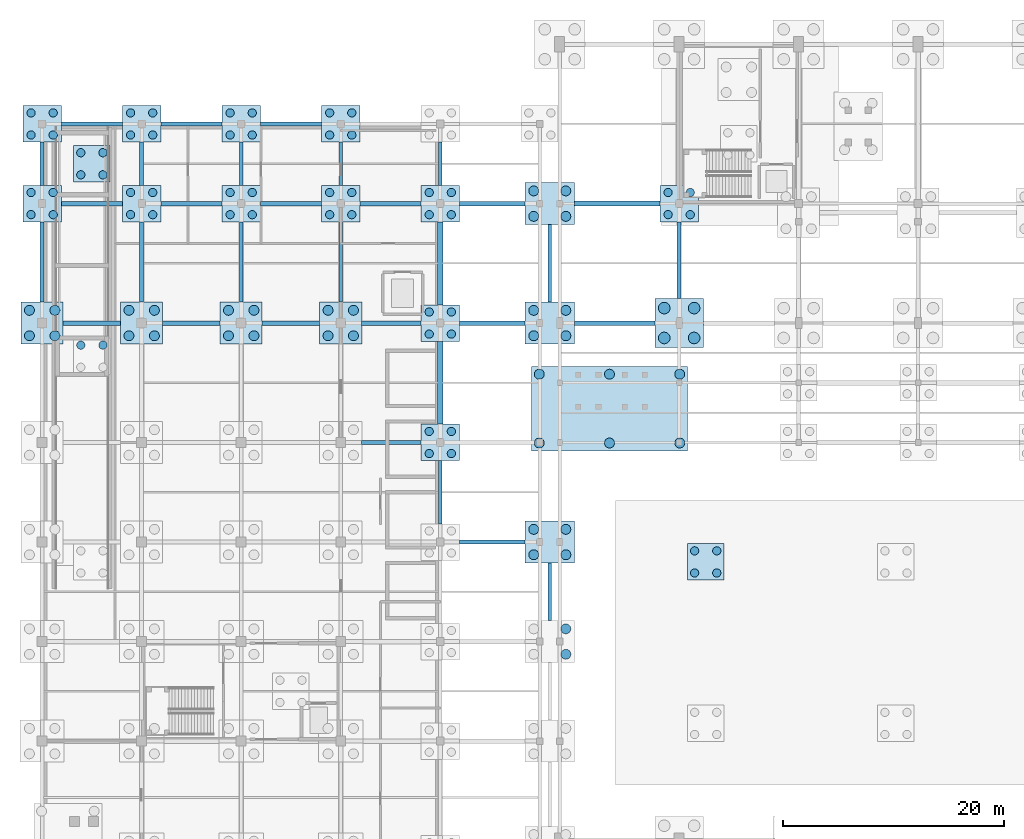
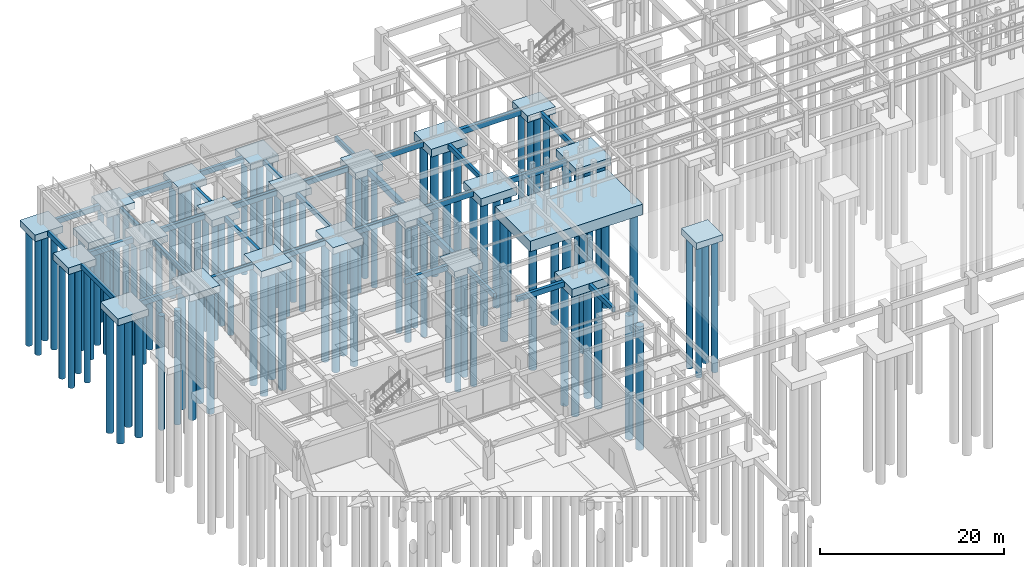
# One storey, part 5 of 33: 98 piles, 55 footings.
"""IFC4 building model written with IfcOpenShell, lengths in metres."""

from ifc_helpers import new_model, si_unit, direction, frame, origin, origin_2d, place, context, subcontext, project, spatial, rectangle, circle, extrude, material, material_profile, profile_set, type_object, element, save


model = new_model("IFC4")

# Units and contexts
model_context = context("Model", 3, precision=1e-05, world=origin(), true_north=direction((0.0, 1.0)))
body_context = subcontext(model_context, "Body", "Model", "MODEL_VIEW")
ifc_project = project(units=[si_unit("LENGTHUNIT", "METRE"), si_unit("AREAUNIT", "SQUARE_METRE"), si_unit("VOLUMEUNIT", "CUBIC_METRE"), si_unit("PLANEANGLEUNIT", "RADIAN"), si_unit("MASSUNIT", "GRAM", prefix="KILO")], contexts=[model_context])

# Site, building, storey
site_placement = place(None, origin())
site = spatial("IfcSite", under=ifc_project, at=site_placement, CompositionType="ELEMENT")
building_placement = place(site_placement, origin())
building = spatial("IfcBuilding", under=site, at=building_placement, Name="Suirenkawa Promenade Aquatics Centre", CompositionType="ELEMENT")
storey_placement = place(building_placement, frame((0.0, 0.0, -4.800048828125)))
storey = spatial("IfcBuildingStorey", under=building, at=storey_placement, Name="B1", CompositionType="ELEMENT", Elevation=-4.800048828125)

# Footings
ifc_material = material(Name="Concrete M35", Category="concrete")
footing_type_1 = type_object("IfcFootingType", Name="FT-GB-350x650", PredefinedType="FOOTING_BEAM", material=ifc_material)
footing_1_placement = place(storey_placement, frame((0.0, 102.72509765625, -0.64990234375), z_axis=(0.0, 0.0, 1.0), x_axis=(0.0, 1.0, 0.0)))
element("IfcFooting", 1, at=footing_1_placement, inside=storey, type_object=footing_type_1, Name="Ground tie beam GB-06 GB-0173", PredefinedType="FOOTING_BEAM", context=body_context, shape_type="SweptSolid", body=[
    extrude(rectangle(XDim=7.25, YDim=0.35009765625, at=origin_2d()), origin(), (0.0, 0.0, 1.0), 0.64990234375),
])
footing_2_placement = place(storey_placement, frame((0.0, 111.60009765625, -0.64990234375), z_axis=(0.0, 0.0, 1.0), x_axis=(0.0, 1.0, 0.0)))
element("IfcFooting", 2, at=footing_2_placement, inside=storey, type_object=footing_type_1, Name="Ground tie beam GB-06 GB-0174", PredefinedType="FOOTING_BEAM", context=body_context, shape_type="SweptSolid", body=[
    extrude(rectangle(XDim=3.89990234375, YDim=0.35009765625, at=origin_2d()), origin(), (0.0, 0.0, 1.0), 0.64990234375),
])
footing_3_placement = place(storey_placement, frame((9.0, 102.72509765625, -0.64990234375), z_axis=(0.0, 0.0, 1.0), x_axis=(0.0, 1.0, 0.0)))
element("IfcFooting", 3, at=footing_3_placement, inside=storey, type_object=footing_type_1, Name="Ground tie beam GB-06 GB-0186", PredefinedType="FOOTING_BEAM", context=body_context, shape_type="SweptSolid", body=[
    extrude(rectangle(XDim=7.25, YDim=0.35009765625, at=origin_2d()), origin(), (0.0, 0.0, 1.0), 0.64990234375),
])
footing_4_placement = place(storey_placement, frame((9.0, 111.60009765625, -0.64990234375), z_axis=(0.0, 0.0, 1.0), x_axis=(0.0, 1.0, 0.0)))
element("IfcFooting", 4, at=footing_4_placement, inside=storey, type_object=footing_type_1, Name="Ground tie beam GB-06 GB-0187", PredefinedType="FOOTING_BEAM", context=body_context, shape_type="SweptSolid", body=[
    extrude(rectangle(XDim=3.89990234375, YDim=0.35009765625, at=origin_2d()), origin(), (0.0, 0.0, 1.0), 0.64990234375),
])
footing_5_placement = place(storey_placement, frame((18.0, 102.72509765625, -0.64990234375), z_axis=(0.0, 0.0, 1.0), x_axis=(0.0, 1.0, 0.0)))
element("IfcFooting", 5, at=footing_5_placement, inside=storey, type_object=footing_type_1, Name="Ground tie beam GB-06 GB-0199", PredefinedType="FOOTING_BEAM", context=body_context, shape_type="SweptSolid", body=[
    extrude(rectangle(XDim=7.25, YDim=0.35009765625, at=origin_2d()), origin(), (0.0, 0.0, 1.0), 0.64990234375),
])
footing_6_placement = place(storey_placement, frame((18.0, 111.60009765625, -0.64990234375), z_axis=(0.0, 0.0, 1.0), x_axis=(0.0, 1.0, 0.0)))
element("IfcFooting", 6, at=footing_6_placement, inside=storey, type_object=footing_type_1, Name="Ground tie beam GB-06 GB-0200", PredefinedType="FOOTING_BEAM", context=body_context, shape_type="SweptSolid", body=[
    extrude(rectangle(XDim=3.89990234375, YDim=0.35009765625, at=origin_2d()), origin(), (0.0, 0.0, 1.0), 0.64990234375),
])
footing_7_placement = place(storey_placement, frame((27.0, 102.72509765625, -0.64990234375), z_axis=(0.0, 0.0, 1.0), x_axis=(0.0, 1.0, 0.0)))
element("IfcFooting", 7, at=footing_7_placement, inside=storey, type_object=footing_type_1, Name="Ground tie beam GB-06 GB-0212", PredefinedType="FOOTING_BEAM", context=body_context, shape_type="SweptSolid", body=[
    extrude(rectangle(XDim=7.25, YDim=0.35009765625, at=origin_2d()), origin(), (0.0, 0.0, 1.0), 0.64990234375),
])
footing_8_placement = place(storey_placement, frame((27.0, 111.60009765625, -0.64990234375), z_axis=(0.0, 0.0, 1.0), x_axis=(0.0, 1.0, 0.0)))
element("IfcFooting", 8, at=footing_8_placement, inside=storey, type_object=footing_type_1, Name="Ground tie beam GB-06 GB-0213", PredefinedType="FOOTING_BEAM", context=body_context, shape_type="SweptSolid", body=[
    extrude(rectangle(XDim=3.89990234375, YDim=0.35009765625, at=origin_2d()), origin(), (0.0, 0.0, 1.0), 0.64990234375),
])
footing_9_placement = place(storey_placement, frame((36.0, 81.89990234375, -0.64990234375), z_axis=(0.0, 0.0, 1.0), x_axis=(0.0, 1.0, 0.0)))
element("IfcFooting", 9, at=footing_9_placement, inside=storey, type_object=footing_type_1, Name="Ground tie beam GB-06 GB-0223", PredefinedType="FOOTING_BEAM", context=body_context, shape_type="SweptSolid", body=[
    extrude(rectangle(XDim=5.699951171875, YDim=0.35009765625, at=origin_2d()), origin(), (0.0, 0.0, 1.0), 0.64990234375),
])
footing_10_placement = place(storey_placement, frame((36.0, 111.60009765625, -0.64990234375), z_axis=(0.0, 0.0, 1.0), x_axis=(0.0, 1.0, 0.0)))
element("IfcFooting", 10, at=footing_10_placement, inside=storey, type_object=footing_type_1, Name="Ground tie beam GB-06 GB-0226", PredefinedType="FOOTING_BEAM", context=body_context, shape_type="SweptSolid", body=[
    extrude(rectangle(XDim=3.89990234375, YDim=0.35009765625, at=origin_2d()), origin(), (0.0, 0.0, 1.0), 0.64990234375),
])
footing_11_placement = place(storey_placement, frame((45.89990234375, 72.89990234375, -0.64990234375), z_axis=(0.0, 0.0, 1.0), x_axis=(0.0, 1.0, 0.0)))
element("IfcFooting", 11, at=footing_11_placement, inside=storey, type_object=footing_type_1, Name="Ground tie beam GB-06 GB-0234", PredefinedType="FOOTING_BEAM", context=body_context, shape_type="SweptSolid", body=[
    extrude(rectangle(XDim=5.199951171875, YDim=0.35009765625, at=origin_2d()), origin(), (0.0, 0.0, 1.0), 0.64990234375),
])
footing_12_placement = place(storey_placement, frame((45.89990234375, 102.60009765625, -0.64990234375), z_axis=(0.0, 0.0, 1.0), x_axis=(0.0, 1.0, 0.0)))
element("IfcFooting", 12, at=footing_12_placement, inside=storey, type_object=footing_type_1, Name="Ground tie beam GB-06 GB-0235", PredefinedType="FOOTING_BEAM", context=body_context, shape_type="SweptSolid", body=[
    extrude(rectangle(XDim=7.0, YDim=0.35009765625, at=origin_2d()), origin(), (0.0, 0.0, 1.0), 0.64990234375),
])
footing_13_placement = place(storey_placement, frame((57.60009765625, 102.875, -0.64990234375), z_axis=(0.0, 0.0, 1.0), x_axis=(0.0, 1.0, 0.0)))
element("IfcFooting", 13, at=footing_13_placement, inside=storey, type_object=footing_type_1, Name="Ground tie beam GB-06 GB-0236", PredefinedType="FOOTING_BEAM", context=body_context, shape_type="SweptSolid", body=[
    extrude(rectangle(XDim=6.949951171875, YDim=0.35009765625, at=origin_2d()), origin(), (0.0, 0.0, 1.0), 0.64990234375),
])
footing_type_2 = type_object("IfcFootingType", Name="FT-GB-400x700", PredefinedType="FOOTING_BEAM", material=ifc_material)
footing_14_placement = place(storey_placement, frame((40.699951171875, 77.39990234375, -0.69970703125), z_axis=(0.0, 0.0, 1.0), x_axis=(1.0, 0.0, 0.0)))
element("IfcFooting", 14, at=footing_14_placement, inside=storey, type_object=footing_type_2, Name="Ground tie beam GB-01 GB-0110", PredefinedType="FOOTING_BEAM", context=body_context, shape_type="SweptSolid", body=[
    extrude(rectangle(XDim=5.89990234375, YDim=0.39990234375, at=origin_2d()), origin(), (0.0, 0.0, 1.0), 0.699951171875),
])
footing_15_placement = place(storey_placement, frame((31.574951171875, 86.39990234375, -0.69970703125), z_axis=(0.0, 0.0, 1.0), x_axis=(1.0, 0.0, 0.0)))
element("IfcFooting", 15, at=footing_15_placement, inside=storey, type_object=footing_type_2, Name="Ground tie beam GB-01 GB-0114", PredefinedType="FOOTING_BEAM", context=body_context, shape_type="SweptSolid", body=[
    extrude(rectangle(XDim=5.35009765625, YDim=0.39990234375, at=origin_2d()), origin(), (0.0, 0.0, 1.0), 0.699951171875),
])
for number, where, z_axis, x_axis, name in (
    (16, (4.5, 97.199951171875, -0.69970703125), (0.0, 0.0, 1.0), (1.0, 0.0, 0.0), "Ground tie beam GB-01 GB-0122"),
    (17, (13.5, 97.199951171875, -0.69970703125), (0.0, 0.0, 1.0), (1.0, 0.0, 0.0), "Ground tie beam GB-01 GB-0123"),
    (18, (22.5, 97.199951171875, -0.69970703125), (0.0, 0.0, 1.0), (1.0, 0.0, 0.0), "Ground tie beam GB-01 GB-0124"),
):
    element("IfcFooting", number, at=place(storey_placement, frame(where, z_axis=z_axis, x_axis=x_axis)), inside=storey, type_object=footing_type_2, Name=name, PredefinedType="FOOTING_BEAM", context=body_context, shape_type="SweptSolid", body=[
        extrude(rectangle(XDim=5.199951171875, YDim=0.39990234375, at=origin_2d()), origin(), (0.0, 0.0, 1.0), 0.699951171875),
    ])
footing_16_placement = place(storey_placement, frame((31.574951171875, 97.199951171875, -0.69970703125), z_axis=(0.0, 0.0, 1.0), x_axis=(1.0, 0.0, 0.0)))
element("IfcFooting", 19, at=footing_16_placement, inside=storey, type_object=footing_type_2, Name="Ground tie beam GB-01 GB-0125", PredefinedType="FOOTING_BEAM", context=body_context, shape_type="SweptSolid", body=[
    extrude(rectangle(XDim=5.35009765625, YDim=0.39990234375, at=origin_2d()), origin(), (0.0, 0.0, 1.0), 0.699951171875),
])
footing_17_placement = place(storey_placement, frame((40.699951171875, 97.199951171875, -0.69970703125), z_axis=(0.0, 0.0, 1.0), x_axis=(1.0, 0.0, 0.0)))
element("IfcFooting", 20, at=footing_17_placement, inside=storey, type_object=footing_type_2, Name="Ground tie beam GB-01 GB-0126", PredefinedType="FOOTING_BEAM", context=body_context, shape_type="SweptSolid", body=[
    extrude(rectangle(XDim=5.89990234375, YDim=0.39990234375, at=origin_2d()), origin(), (0.0, 0.0, 1.0), 0.699951171875),
])
footing_18_placement = place(storey_placement, frame((51.77490234375, 97.199951171875, -0.69970703125), z_axis=(0.0, 0.0, 1.0), x_axis=(1.0, 0.0, 0.0)))
element("IfcFooting", 21, at=footing_18_placement, inside=storey, type_object=footing_type_2, Name="Ground tie beam GB-01 GB-0127", PredefinedType="FOOTING_BEAM", context=body_context, shape_type="SweptSolid", body=[
    extrude(rectangle(XDim=7.25, YDim=0.39990234375, at=origin_2d()), origin(), (0.0, 0.0, 1.0), 0.699951171875),
])
for number, where, z_axis, x_axis, name in (
    (22, (4.5, 108.0, -0.69970703125), (0.0, 0.0, 1.0), (1.0, 0.0, 0.0), "Ground tie beam GB-01 GB-0144"),
    (23, (13.5, 108.0, -0.69970703125), (0.0, 0.0, 1.0), (1.0, 0.0, 0.0), "Ground tie beam GB-01 GB-0145"),
    (24, (22.5, 108.0, -0.69970703125), (0.0, 0.0, 1.0), (1.0, 0.0, 0.0), "Ground tie beam GB-01 GB-0146"),
    (25, (31.5, 108.0, -0.69970703125), (0.0, 0.0, 1.0), (1.0, 0.0, 0.0), "Ground tie beam GB-01 GB-0147"),
):
    element("IfcFooting", number, at=place(storey_placement, frame(where, z_axis=z_axis, x_axis=x_axis)), inside=storey, type_object=footing_type_2, Name=name, PredefinedType="FOOTING_BEAM", context=body_context, shape_type="SweptSolid", body=[
        extrude(rectangle(XDim=5.5, YDim=0.39990234375, at=origin_2d()), origin(), (0.0, 0.0, 1.0), 0.699951171875),
    ])
footing_19_placement = place(storey_placement, frame((40.699951171875, 108.0, -0.69970703125), z_axis=(0.0, 0.0, 1.0), x_axis=(1.0, 0.0, 0.0)))
element("IfcFooting", 26, at=footing_19_placement, inside=storey, type_object=footing_type_2, Name="Ground tie beam GB-01 GB-0148", PredefinedType="FOOTING_BEAM", context=body_context, shape_type="SweptSolid", body=[
    extrude(rectangle(XDim=5.89990234375, YDim=0.39990234375, at=origin_2d()), origin(), (0.0, 0.0, 1.0), 0.699951171875),
])
for number, where, z_axis, x_axis, name in (
    (27, (4.5, 115.199951171875, -0.69970703125), (0.0, 0.0, 1.0), (1.0, 0.0, 0.0), "Ground tie beam GB-01 GB-0151"),
    (28, (13.5, 115.199951171875, -0.69970703125), (0.0, 0.0, 1.0), (1.0, 0.0, 0.0), "Ground tie beam GB-01 GB-0152"),
    (29, (22.5, 115.199951171875, -0.69970703125), (0.0, 0.0, 1.0), (1.0, 0.0, 0.0), "Ground tie beam GB-01 GB-0153"),
):
    element("IfcFooting", number, at=place(storey_placement, frame(where, z_axis=z_axis, x_axis=x_axis)), inside=storey, type_object=footing_type_2, Name=name, PredefinedType="FOOTING_BEAM", context=body_context, shape_type="SweptSolid", body=[
        extrude(rectangle(XDim=5.5, YDim=0.39990234375, at=origin_2d()), origin(), (0.0, 0.0, 1.0), 0.699951171875),
    ])
footing_type_3 = type_object("IfcFootingType", Name="FT-GB-450x750", PredefinedType="FOOTING_BEAM", material=ifc_material)
footing_20_placement = place(storey_placement, frame((52.0, 108.0, -0.75), z_axis=(0.0, 0.0, 1.0), x_axis=(1.0, 0.0, 0.0)))
element("IfcFooting", 30, at=footing_20_placement, inside=storey, type_object=footing_type_3, Name="Ground tie beam GB-02 GB-0149", PredefinedType="FOOTING_BEAM", context=body_context, shape_type="SweptSolid", body=[
    extrude(rectangle(XDim=7.699951171875, YDim=0.449951171875, at=origin_2d()), origin(), (0.0, 0.0, 1.0), 0.75),
])
footing_type_4 = type_object("IfcFootingType", Name="FT-GB-500x800", PredefinedType="FOOTING_BEAM", material=ifc_material)
for number, where, z_axis, x_axis, name in (
    (31, (36.0, 91.800048828125, -0.7998046875), (0.0, 0.0, 1.0), (0.0, 1.0, 0.0), "Ground tie beam GB-03 GB-0224"),
    (32, (36.0, 102.60009765625, -0.7998046875), (0.0, 0.0, 1.0), (0.0, 1.0, 0.0), "Ground tie beam GB-03 GB-0225"),
):
    element("IfcFooting", number, at=place(storey_placement, frame(where, z_axis=z_axis, x_axis=x_axis)), inside=storey, type_object=footing_type_4, Name=name, PredefinedType="FOOTING_BEAM", context=body_context, shape_type="SweptSolid", body=[
        extrude(rectangle(XDim=7.5, YDim=0.5, at=origin_2d()), origin(), (0.0, 0.0, 1.0), 0.800048828125),
    ])
footing_type_5 = type_object("IfcFootingType", Name="FT-PC-3500x3300x880", PredefinedType="PILE_CAP", material=ifc_material)
for number, where, z_axis, x_axis, name in (
    (33, (36.0, 86.39990234375, -0.8798828125), (0.0, 0.0, 1.0), (1.0, 0.0, 0.0), "Foundation PC-03 CAP-147"),
    (34, (36.0, 97.199951171875, -0.8798828125), (0.0, 0.0, 1.0), (1.0, 0.0, 0.0), "Foundation PC-03 CAP-168"),
    (35, (0.0, 108.0, -0.8798828125), (0.0, 0.0, 1.0), (1.0, 0.0, 0.0), "Foundation PC-03 CAP-190"),
    (36, (9.0, 108.0, -0.8798828125), (0.0, 0.0, 1.0), (1.0, 0.0, 0.0), "Foundation PC-03 CAP-191"),
    (37, (18.0, 108.0, -0.8798828125), (0.0, 0.0, 1.0), (1.0, 0.0, 0.0), "Foundation PC-03 CAP-192"),
    (38, (27.0, 108.0, -0.8798828125), (0.0, 0.0, 1.0), (1.0, 0.0, 0.0), "Foundation PC-03 CAP-193"),
    (39, (36.0, 108.0, -0.8798828125), (0.0, 0.0, 1.0), (1.0, 0.0, 0.0), "Foundation PC-03 CAP-194"),
    (40, (57.60009765625, 108.0, -0.8798828125), (0.0, 0.0, 1.0), (1.0, 0.0, 0.0), "Foundation PC-03 CAP-196"),
    (41, (0.0, 115.199951171875, -0.8798828125), (0.0, 0.0, 1.0), (1.0, 0.0, 0.0), "Foundation PC-03 CAP-200"),
    (42, (9.0, 115.199951171875, -0.8798828125), (0.0, 0.0, 1.0), (1.0, 0.0, 0.0), "Foundation PC-03 CAP-201"),
    (43, (18.0, 115.199951171875, -0.8798828125), (0.0, 0.0, 1.0), (1.0, 0.0, 0.0), "Foundation PC-03 CAP-202"),
    (44, (27.0, 115.199951171875, -0.8798828125), (0.0, 0.0, 1.0), (1.0, 0.0, 0.0), "Foundation PC-03 CAP-203"),
):
    element("IfcFooting", number, at=place(storey_placement, frame(where, z_axis=z_axis, x_axis=x_axis)), inside=storey, type_object=footing_type_5, Name=name, PredefinedType="PILE_CAP", context=body_context, shape_type="SweptSolid", body=[
        extrude(rectangle(XDim=3.5, YDim=3.300048828125, at=origin_2d()), origin(), (0.0, 0.0, 1.0), 0.8798828125),
    ])
footing_type_6 = type_object("IfcFootingType", Name="FT-PC-3800x3800x900", PredefinedType="PILE_CAP", material=ifc_material)
for number, where, z_axis, x_axis, name in (
    (45, (0.0, 97.199951171875, -0.89990234375), (0.0, 0.0, 1.0), (1.0, 0.0, 0.0), "Foundation PC-04 CAP-164"),
    (46, (9.0, 97.199951171875, -0.89990234375), (0.0, 0.0, 1.0), (1.0, 0.0, 0.0), "Foundation PC-04 CAP-165"),
    (47, (18.0, 97.199951171875, -0.89990234375), (0.0, 0.0, 1.0), (1.0, 0.0, 0.0), "Foundation PC-04 CAP-166"),
    (48, (27.0, 97.199951171875, -0.89990234375), (0.0, 0.0, 1.0), (1.0, 0.0, 0.0), "Foundation PC-04 CAP-167"),
):
    element("IfcFooting", number, at=place(storey_placement, frame(where, z_axis=z_axis, x_axis=x_axis)), inside=storey, type_object=footing_type_6, Name=name, PredefinedType="PILE_CAP", context=body_context, shape_type="SweptSolid", body=[
        extrude(rectangle(XDim=3.800048828125, YDim=3.800048828125, at=origin_2d()), origin(), (0.0, 0.0, 1.0), 0.89990234375),
    ])
footing_type_7 = type_object("IfcFootingType", Name="FT-PC-4400x4400x1000", PredefinedType="PILE_CAP", material=ifc_material)
footing_21_placement = place(storey_placement, frame((57.60009765625, 97.199951171875, -1.0), z_axis=(0.0, 0.0, 1.0), x_axis=(1.0, 0.0, 0.0)))
element("IfcFooting", 49, at=footing_21_placement, inside=storey, type_object=footing_type_7, Name="Foundation PC-06 CAP-170", PredefinedType="PILE_CAP", context=body_context, shape_type="SweptSolid", body=[
    extrude(rectangle(XDim=4.39990234375, YDim=4.39990234375, at=origin_2d()), origin(), (0.0, 0.0, 1.0), 1.0),
])
footing_type_8 = type_object("IfcFootingType", Name="FT-PC-COMP-3300x3300x850", PredefinedType="PILE_CAP", material=ifc_material)
footing_22_placement = place(storey_placement, frame((60.0, 75.60009765625, 1.050048828125), z_axis=(0.0, 0.0, 1.0), x_axis=(1.0, 0.0, 0.0)))
element("IfcFooting", 50, at=footing_22_placement, inside=storey, type_object=footing_type_8, Name="Foundation PC-08 CAP-224", PredefinedType="PILE_CAP", context=body_context, shape_type="SweptSolid", body=[
    extrude(rectangle(XDim=3.300048828125, YDim=3.300048828125, at=origin_2d()), origin(), (0.0, 0.0, 1.0), 0.85009765625),
])
footing_type_9 = type_object("IfcFootingType", Name="FT-PC-RAFT-3300x3300x850", PredefinedType="PILE_CAP", material=ifc_material)
footing_23_placement = place(storey_placement, frame((4.5, 111.60009765625, -1.330078125), z_axis=(0.0, 0.0, 1.0), x_axis=(1.0, 0.0, 0.0)))
element("IfcFooting", 51, at=footing_23_placement, inside=storey, type_object=footing_type_9, Name="Foundation PC-12 CAP-219", PredefinedType="PILE_CAP", context=body_context, shape_type="SweptSolid", body=[
    extrude(rectangle(XDim=3.300048828125, YDim=3.300048828125, at=origin_2d()), origin(), (0.0, 0.0, 1.0), 0.85009765625),
])
footing_type_10 = type_object("IfcFootingType", Name="FT-PCC-14100x7620", PredefinedType="PILE_CAP", material=ifc_material)
footing_24_placement = place(storey_placement, frame((51.300048828125, 89.462890625, -1.39990234375), z_axis=(0.0, 0.0, 1.0), x_axis=(1.0, 0.0, 0.0)))
element("IfcFooting", 52, at=footing_24_placement, inside=storey, type_object=footing_type_10, Name="Foundation PCC-04 CAP-148", PredefinedType="PILE_CAP", context=body_context, shape_type="SweptSolid", body=[
    extrude(rectangle(XDim=14.10009765625, YDim=7.6201171875, at=origin_2d()), origin(), (0.0, 0.0, 1.0), 1.39990234375),
])
footing_type_11 = type_object("IfcFootingType", Name="FT-PCC-4500x3800x1050", PredefinedType="PILE_CAP", material=ifc_material)
for number, where, z_axis, x_axis, name in (
    (53, (45.89990234375, 77.39990234375, -1.0498046875), (0.0, 0.0, 1.0), (1.0, 0.0, 0.0), "Foundation PCC-01 CAP-140"),
    (54, (45.89990234375, 97.199951171875, -1.0498046875), (0.0, 0.0, 1.0), (1.0, 0.0, 0.0), "Foundation PCC-01 CAP-169"),
    (55, (45.89990234375, 108.0, -1.0498046875), (0.0, 0.0, 1.0), (1.0, 0.0, 0.0), "Foundation PCC-01 CAP-195"),
):
    element("IfcFooting", number, at=place(storey_placement, frame(where, z_axis=z_axis, x_axis=x_axis)), inside=storey, type_object=footing_type_11, Name=name, PredefinedType="PILE_CAP", context=body_context, shape_type="SweptSolid", body=[
        extrude(rectangle(XDim=4.5, YDim=3.800048828125, at=origin_2d()), origin(), (0.0, 0.0, 1.0), 1.050048828125),
    ])

# Piles
ifc_material_profile_1 = material_profile(ifc_material, circle(Radius=0.52490234375, at=origin_2d()), Name="PILE D1050", Category="concrete")
ifc_profile_set_1 = profile_set([ifc_material_profile_1], Name="Concrete M35")
pile_type_1 = type_object("IfcPileType", Name="PT-BORED-1050", PredefinedType="BORED", material=ifc_profile_set_1)
for number, where, z_axis, x_axis, name in (
    (56, (56.25, 95.85009765625, -0.89990234375), (0.0, 0.0, -1.0), (1.0, 0.0, 0.0), "Bored pile PL-04 PL-0643"),
    (57, (56.25, 98.550048828125, -0.89990234375), (0.0, 0.0, -1.0), (1.0, 0.0, 0.0), "Bored pile PL-04 PL-0644"),
    (58, (58.949951171875, 95.85009765625, -0.89990234375), (0.0, 0.0, -1.0), (1.0, 0.0, 0.0), "Bored pile PL-04 PL-0645"),
    (59, (58.949951171875, 98.550048828125, -0.89990234375), (0.0, 0.0, -1.0), (1.0, 0.0, 0.0), "Bored pile PL-04 PL-0646"),
):
    element("IfcPile", number, at=place(storey_placement, frame(where, z_axis=z_axis, x_axis=x_axis)), inside=storey, type_object=pile_type_1, Name=name, PredefinedType="BORED", context=body_context, shape_type="SweptSolid", body=[
        extrude(circle(Radius=0.52490234375, at=origin_2d()), origin(), (0.0, 0.0, 1.0), 16.800048828125),
    ])
ifc_material_profile_2 = material_profile(ifc_material, circle(Radius=0.375, at=origin_2d()), Name="PILE D750", Category="concrete")
ifc_profile_set_2 = profile_set([ifc_material_profile_2], Name="Concrete M35")
pile_type_2 = type_object("IfcPileType", Name="PT-BORED-750", PredefinedType="BORED", material=ifc_profile_set_2)
for number, where, z_axis, x_axis, name in (
    (60, (35.0, 85.39990234375, -0.75), (0.0, 0.0, -1.0), (1.0, 0.0, 0.0), "Bored pile PL-02 PL-0545"),
    (61, (35.0, 87.39990234375, -0.75), (0.0, 0.0, -1.0), (1.0, 0.0, 0.0), "Bored pile PL-02 PL-0546"),
    (62, (37.0, 85.39990234375, -0.75), (0.0, 0.0, -1.0), (1.0, 0.0, 0.0), "Bored pile PL-02 PL-0547"),
    (63, (37.0, 87.39990234375, -0.75), (0.0, 0.0, -1.0), (1.0, 0.0, 0.0), "Bored pile PL-02 PL-0548"),
    (64, (35.0, 96.199951171875, -0.75), (0.0, 0.0, -1.0), (1.0, 0.0, 0.0), "Bored pile PL-02 PL-0635"),
    (65, (35.0, 98.199951171875, -0.75), (0.0, 0.0, -1.0), (1.0, 0.0, 0.0), "Bored pile PL-02 PL-0636"),
    (66, (37.0, 96.199951171875, -0.75), (0.0, 0.0, -1.0), (1.0, 0.0, 0.0), "Bored pile PL-02 PL-0637"),
    (67, (37.0, 98.199951171875, -0.75), (0.0, 0.0, -1.0), (1.0, 0.0, 0.0), "Bored pile PL-02 PL-0638"),
    (68, (-1.0, 107.0, -0.75), (0.0, 0.0, -1.0), (1.0, 0.0, 0.0), "Bored pile PL-02 PL-0723"),
    (69, (-1.0, 109.0, -0.75), (0.0, 0.0, -1.0), (1.0, 0.0, 0.0), "Bored pile PL-02 PL-0724"),
    (70, (1.0, 107.0, -0.75), (0.0, 0.0, -1.0), (1.0, 0.0, 0.0), "Bored pile PL-02 PL-0725"),
    (71, (1.0, 109.0, -0.75), (0.0, 0.0, -1.0), (1.0, 0.0, 0.0), "Bored pile PL-02 PL-0726"),
    (72, (8.0, 107.0, -0.75), (0.0, 0.0, -1.0), (1.0, 0.0, 0.0), "Bored pile PL-02 PL-0727"),
    (73, (8.0, 109.0, -0.75), (0.0, 0.0, -1.0), (1.0, 0.0, 0.0), "Bored pile PL-02 PL-0728"),
    (74, (10.0, 107.0, -0.75), (0.0, 0.0, -1.0), (1.0, 0.0, 0.0), "Bored pile PL-02 PL-0729"),
    (75, (10.0, 109.0, -0.75), (0.0, 0.0, -1.0), (1.0, 0.0, 0.0), "Bored pile PL-02 PL-0730"),
    (76, (17.0, 107.0, -0.75), (0.0, 0.0, -1.0), (1.0, 0.0, 0.0), "Bored pile PL-02 PL-0731"),
    (77, (17.0, 109.0, -0.75), (0.0, 0.0, -1.0), (1.0, 0.0, 0.0), "Bored pile PL-02 PL-0732"),
    (78, (19.0, 107.0, -0.75), (0.0, 0.0, -1.0), (1.0, 0.0, 0.0), "Bored pile PL-02 PL-0733"),
    (79, (19.0, 109.0, -0.75), (0.0, 0.0, -1.0), (1.0, 0.0, 0.0), "Bored pile PL-02 PL-0734"),
    (80, (26.0, 107.0, -0.75), (0.0, 0.0, -1.0), (1.0, 0.0, 0.0), "Bored pile PL-02 PL-0735"),
    (81, (26.0, 109.0, -0.75), (0.0, 0.0, -1.0), (1.0, 0.0, 0.0), "Bored pile PL-02 PL-0736"),
    (82, (28.0, 107.0, -0.75), (0.0, 0.0, -1.0), (1.0, 0.0, 0.0), "Bored pile PL-02 PL-0737"),
    (83, (28.0, 109.0, -0.75), (0.0, 0.0, -1.0), (1.0, 0.0, 0.0), "Bored pile PL-02 PL-0738"),
    (84, (35.0, 107.0, -0.75), (0.0, 0.0, -1.0), (1.0, 0.0, 0.0), "Bored pile PL-02 PL-0739"),
    (85, (35.0, 109.0, -0.75), (0.0, 0.0, -1.0), (1.0, 0.0, 0.0), "Bored pile PL-02 PL-0740"),
    (86, (37.0, 107.0, -0.75), (0.0, 0.0, -1.0), (1.0, 0.0, 0.0), "Bored pile PL-02 PL-0741"),
    (87, (37.0, 109.0, -0.75), (0.0, 0.0, -1.0), (1.0, 0.0, 0.0), "Bored pile PL-02 PL-0742"),
    (88, (56.60009765625, 107.0, -0.75), (0.0, 0.0, -1.0), (1.0, 0.0, 0.0), "Bored pile PL-02 PL-0747"),
    (89, (56.60009765625, 109.0, -0.75), (0.0, 0.0, -1.0), (1.0, 0.0, 0.0), "Bored pile PL-02 PL-0748"),
    (90, (58.60009765625, 107.0, -0.75), (0.0, 0.0, -1.0), (1.0, 0.0, 0.0), "Bored pile PL-02 PL-0749"),
    (91, (58.60009765625, 109.0, -0.75), (0.0, 0.0, -1.0), (1.0, 0.0, 0.0), "Bored pile PL-02 PL-0750"),
    (92, (-1.0, 114.199951171875, -0.75), (0.0, 0.0, -1.0), (1.0, 0.0, 0.0), "Bored pile PL-02 PL-0763"),
    (93, (-1.0, 116.199951171875, -0.75), (0.0, 0.0, -1.0), (1.0, 0.0, 0.0), "Bored pile PL-02 PL-0764"),
    (94, (1.0, 114.199951171875, -0.75), (0.0, 0.0, -1.0), (1.0, 0.0, 0.0), "Bored pile PL-02 PL-0765"),
    (95, (1.0, 116.199951171875, -0.75), (0.0, 0.0, -1.0), (1.0, 0.0, 0.0), "Bored pile PL-02 PL-0766"),
    (96, (8.0, 114.199951171875, -0.75), (0.0, 0.0, -1.0), (1.0, 0.0, 0.0), "Bored pile PL-02 PL-0767"),
    (97, (8.0, 116.199951171875, -0.75), (0.0, 0.0, -1.0), (1.0, 0.0, 0.0), "Bored pile PL-02 PL-0768"),
    (98, (10.0, 114.199951171875, -0.75), (0.0, 0.0, -1.0), (1.0, 0.0, 0.0), "Bored pile PL-02 PL-0769"),
    (99, (10.0, 116.199951171875, -0.75), (0.0, 0.0, -1.0), (1.0, 0.0, 0.0), "Bored pile PL-02 PL-0770"),
    (100, (17.0, 114.199951171875, -0.75), (0.0, 0.0, -1.0), (1.0, 0.0, 0.0), "Bored pile PL-02 PL-0771"),
    (101, (17.0, 116.199951171875, -0.75), (0.0, 0.0, -1.0), (1.0, 0.0, 0.0), "Bored pile PL-02 PL-0772"),
    (102, (19.0, 114.199951171875, -0.75), (0.0, 0.0, -1.0), (1.0, 0.0, 0.0), "Bored pile PL-02 PL-0773"),
    (103, (19.0, 116.199951171875, -0.75), (0.0, 0.0, -1.0), (1.0, 0.0, 0.0), "Bored pile PL-02 PL-0774"),
    (104, (26.0, 114.199951171875, -0.75), (0.0, 0.0, -1.0), (1.0, 0.0, 0.0), "Bored pile PL-02 PL-0775"),
    (105, (26.0, 116.199951171875, -0.75), (0.0, 0.0, -1.0), (1.0, 0.0, 0.0), "Bored pile PL-02 PL-0776"),
    (106, (28.0, 114.199951171875, -0.75), (0.0, 0.0, -1.0), (1.0, 0.0, 0.0), "Bored pile PL-02 PL-0777"),
    (107, (28.0, 116.199951171875, -0.75), (0.0, 0.0, -1.0), (1.0, 0.0, 0.0), "Bored pile PL-02 PL-0778"),
):
    element("IfcPile", number, at=place(storey_placement, frame(where, z_axis=z_axis, x_axis=x_axis)), inside=storey, type_object=pile_type_2, Name=name, PredefinedType="BORED", context=body_context, shape_type="SweptSolid", body=[
        extrude(circle(Radius=0.375, at=origin_2d()), origin(), (0.0, 0.0, 1.0), 15.60009765625),
    ])
for number, where, z_axis, x_axis, name in (
    (108, (3.5, 95.199951171875, -1.22998046875), (0.0, 0.0, -1.0), (1.0, 0.0, 0.0), "Bored pile PL-02 PL-0836"),
    (109, (5.5, 95.199951171875, -1.22998046875), (0.0, 0.0, -1.0), (1.0, 0.0, 0.0), "Bored pile PL-02 PL-0838"),
    (110, (3.5, 110.60009765625, -1.22998046875), (0.0, 0.0, -1.0), (1.0, 0.0, 0.0), "Bored pile PL-02 PL-0839"),
    (111, (3.5, 112.60009765625, -1.22998046875), (0.0, 0.0, -1.0), (1.0, 0.0, 0.0), "Bored pile PL-02 PL-0840"),
    (112, (5.5, 110.60009765625, -1.22998046875), (0.0, 0.0, -1.0), (1.0, 0.0, 0.0), "Bored pile PL-02 PL-0841"),
    (113, (5.5, 112.60009765625, -1.22998046875), (0.0, 0.0, -1.0), (1.0, 0.0, 0.0), "Bored pile PL-02 PL-0842"),
):
    element("IfcPile", number, at=place(storey_placement, frame(where, z_axis=z_axis, x_axis=x_axis)), inside=storey, type_object=pile_type_2, Name=name, PredefinedType="BORED", context=body_context, shape_type="SweptSolid", body=[
        extrude(circle(Radius=0.375, at=origin_2d()), origin(), (0.0, 0.0, 1.0), 15.1201171875),
    ])
for number, where, z_axis, x_axis, name in (
    (114, (59.0, 74.60009765625, 1.150146484375), (0.0, 0.0, -1.0), (1.0, 0.0, 0.0), "Bored pile PL-02 PL-0859"),
    (115, (59.0, 76.60009765625, 1.150146484375), (0.0, 0.0, -1.0), (1.0, 0.0, 0.0), "Bored pile PL-02 PL-0860"),
    (116, (61.0, 74.60009765625, 1.150146484375), (0.0, 0.0, -1.0), (1.0, 0.0, 0.0), "Bored pile PL-02 PL-0861"),
    (117, (61.0, 76.60009765625, 1.150146484375), (0.0, 0.0, -1.0), (1.0, 0.0, 0.0), "Bored pile PL-02 PL-0862"),
):
    element("IfcPile", number, at=place(storey_placement, frame(where, z_axis=z_axis, x_axis=x_axis)), inside=storey, type_object=pile_type_2, Name=name, PredefinedType="BORED", context=body_context, shape_type="SweptSolid", body=[
        extrude(circle(Radius=0.375, at=origin_2d()), origin(), (0.0, 0.0, 1.0), 17.5),
    ])
ifc_material_profile_3 = material_profile(ifc_material, circle(Radius=0.449951171875, at=origin_2d()), Name="PILE D900", Category="concrete")
ifc_profile_set_3 = profile_set([ifc_material_profile_3], Name="Concrete M35")
pile_type_3 = type_object("IfcPileType", Name="PT-BORED-900", PredefinedType="BORED", material=ifc_profile_set_3)
for number, where, z_axis, x_axis, name in (
    (118, (44.949951171875, 86.35302734375, -1.300048828125), (0.0, 0.0, -1.0), (1.0, 0.0, 0.0), "Bored pile PL-03 PL-0549"),
    (119, (44.949951171875, 92.572998046875, -1.300048828125), (0.0, 0.0, -1.0), (1.0, 0.0, 0.0), "Bored pile PL-03 PL-0550"),
    (120, (51.300048828125, 86.35302734375, -1.300048828125), (0.0, 0.0, -1.0), (1.0, 0.0, 0.0), "Bored pile PL-03 PL-0551"),
    (121, (51.300048828125, 92.572998046875, -1.300048828125), (0.0, 0.0, -1.0), (1.0, 0.0, 0.0), "Bored pile PL-03 PL-0552"),
    (122, (57.64990234375, 86.35302734375, -1.300048828125), (0.0, 0.0, -1.0), (1.0, 0.0, 0.0), "Bored pile PL-03 PL-0553"),
    (123, (57.64990234375, 92.572998046875, -1.300048828125), (0.0, 0.0, -1.0), (1.0, 0.0, 0.0), "Bored pile PL-03 PL-0554"),
    (124, (-1.14990234375, 96.050048828125, -0.800048828125), (0.0, 0.0, -1.0), (1.0, 0.0, 0.0), "Bored pile PL-03 PL-0619"),
    (125, (-1.14990234375, 98.35009765625, -0.800048828125), (0.0, 0.0, -1.0), (1.0, 0.0, 0.0), "Bored pile PL-03 PL-0620"),
    (126, (1.14990234375, 96.050048828125, -0.800048828125), (0.0, 0.0, -1.0), (1.0, 0.0, 0.0), "Bored pile PL-03 PL-0621"),
    (127, (1.14990234375, 98.35009765625, -0.800048828125), (0.0, 0.0, -1.0), (1.0, 0.0, 0.0), "Bored pile PL-03 PL-0622"),
    (128, (7.85009765625, 96.050048828125, -0.800048828125), (0.0, 0.0, -1.0), (1.0, 0.0, 0.0), "Bored pile PL-03 PL-0623"),
    (129, (7.85009765625, 98.35009765625, -0.800048828125), (0.0, 0.0, -1.0), (1.0, 0.0, 0.0), "Bored pile PL-03 PL-0624"),
    (130, (10.14990234375, 96.050048828125, -0.800048828125), (0.0, 0.0, -1.0), (1.0, 0.0, 0.0), "Bored pile PL-03 PL-0625"),
    (131, (10.14990234375, 98.35009765625, -0.800048828125), (0.0, 0.0, -1.0), (1.0, 0.0, 0.0), "Bored pile PL-03 PL-0626"),
    (132, (16.85009765625, 96.050048828125, -0.800048828125), (0.0, 0.0, -1.0), (1.0, 0.0, 0.0), "Bored pile PL-03 PL-0627"),
    (133, (16.85009765625, 98.35009765625, -0.800048828125), (0.0, 0.0, -1.0), (1.0, 0.0, 0.0), "Bored pile PL-03 PL-0628"),
    (134, (19.14990234375, 96.050048828125, -0.800048828125), (0.0, 0.0, -1.0), (1.0, 0.0, 0.0), "Bored pile PL-03 PL-0629"),
    (135, (19.14990234375, 98.35009765625, -0.800048828125), (0.0, 0.0, -1.0), (1.0, 0.0, 0.0), "Bored pile PL-03 PL-0630"),
    (136, (25.85009765625, 96.050048828125, -0.800048828125), (0.0, 0.0, -1.0), (1.0, 0.0, 0.0), "Bored pile PL-03 PL-0631"),
    (137, (25.85009765625, 98.35009765625, -0.800048828125), (0.0, 0.0, -1.0), (1.0, 0.0, 0.0), "Bored pile PL-03 PL-0632"),
    (138, (28.14990234375, 96.050048828125, -0.800048828125), (0.0, 0.0, -1.0), (1.0, 0.0, 0.0), "Bored pile PL-03 PL-0633"),
    (139, (28.14990234375, 98.35009765625, -0.800048828125), (0.0, 0.0, -1.0), (1.0, 0.0, 0.0), "Bored pile PL-03 PL-0634"),
):
    element("IfcPile", number, at=place(storey_placement, frame(where, z_axis=z_axis, x_axis=x_axis)), inside=storey, type_object=pile_type_3, Name=name, PredefinedType="BORED", context=body_context, shape_type="SweptSolid", body=[
        extrude(circle(Radius=0.449951171875, at=origin_2d()), origin(), (0.0, 0.0, 1.0), 16.199951171875),
    ])
ifc_material_profile_4 = material_profile(ifc_material, circle(Radius=0.449951171875, at=origin_2d()), Name="PILE D900", Category="concrete")
ifc_profile_set_4 = profile_set([ifc_material_profile_4], Name="Concrete M35")
pile_type_4 = type_object("IfcPileType", Name="PT-BORED-900B", PredefinedType="BORED", material=ifc_profile_set_4)
for number, where, z_axis, x_axis, name in (
    (140, (47.35009765625, 67.25, -0.949951171875), (0.0, 0.0, -1.0), (1.0, 0.0, 0.0), "Bored pile PL-03B PL-0487"),
    (141, (47.35009765625, 69.550048828125, -0.949951171875), (0.0, 0.0, -1.0), (1.0, 0.0, 0.0), "Bored pile PL-03B PL-0488"),
    (142, (44.449951171875, 76.25, -0.949951171875), (0.0, 0.0, -1.0), (1.0, 0.0, 0.0), "Bored pile PL-03B PL-0517"),
    (143, (44.449951171875, 78.550048828125, -0.949951171875), (0.0, 0.0, -1.0), (1.0, 0.0, 0.0), "Bored pile PL-03B PL-0518"),
    (144, (47.35009765625, 76.25, -0.949951171875), (0.0, 0.0, -1.0), (1.0, 0.0, 0.0), "Bored pile PL-03B PL-0519"),
    (145, (47.35009765625, 78.550048828125, -0.949951171875), (0.0, 0.0, -1.0), (1.0, 0.0, 0.0), "Bored pile PL-03B PL-0520"),
    (146, (44.449951171875, 96.050048828125, -0.949951171875), (0.0, 0.0, -1.0), (1.0, 0.0, 0.0), "Bored pile PL-03B PL-0639"),
    (147, (44.449951171875, 98.35009765625, -0.949951171875), (0.0, 0.0, -1.0), (1.0, 0.0, 0.0), "Bored pile PL-03B PL-0640"),
    (148, (47.35009765625, 96.050048828125, -0.949951171875), (0.0, 0.0, -1.0), (1.0, 0.0, 0.0), "Bored pile PL-03B PL-0641"),
    (149, (47.35009765625, 98.35009765625, -0.949951171875), (0.0, 0.0, -1.0), (1.0, 0.0, 0.0), "Bored pile PL-03B PL-0642"),
    (150, (44.449951171875, 106.85009765625, -0.949951171875), (0.0, 0.0, -1.0), (1.0, 0.0, 0.0), "Bored pile PL-03B PL-0743"),
    (151, (44.449951171875, 109.14990234375, -0.949951171875), (0.0, 0.0, -1.0), (1.0, 0.0, 0.0), "Bored pile PL-03B PL-0744"),
    (152, (47.35009765625, 106.85009765625, -0.949951171875), (0.0, 0.0, -1.0), (1.0, 0.0, 0.0), "Bored pile PL-03B PL-0745"),
    (153, (47.35009765625, 109.14990234375, -0.949951171875), (0.0, 0.0, -1.0), (1.0, 0.0, 0.0), "Bored pile PL-03B PL-0746"),
):
    element("IfcPile", number, at=place(storey_placement, frame(where, z_axis=z_axis, x_axis=x_axis)), inside=storey, type_object=pile_type_4, Name=name, PredefinedType="BORED", context=body_context, shape_type="SweptSolid", body=[
        extrude(circle(Radius=0.449951171875, at=origin_2d()), origin(), (0.0, 0.0, 1.0), 16.39990234375),
    ])

save(model, "model.ifc")
